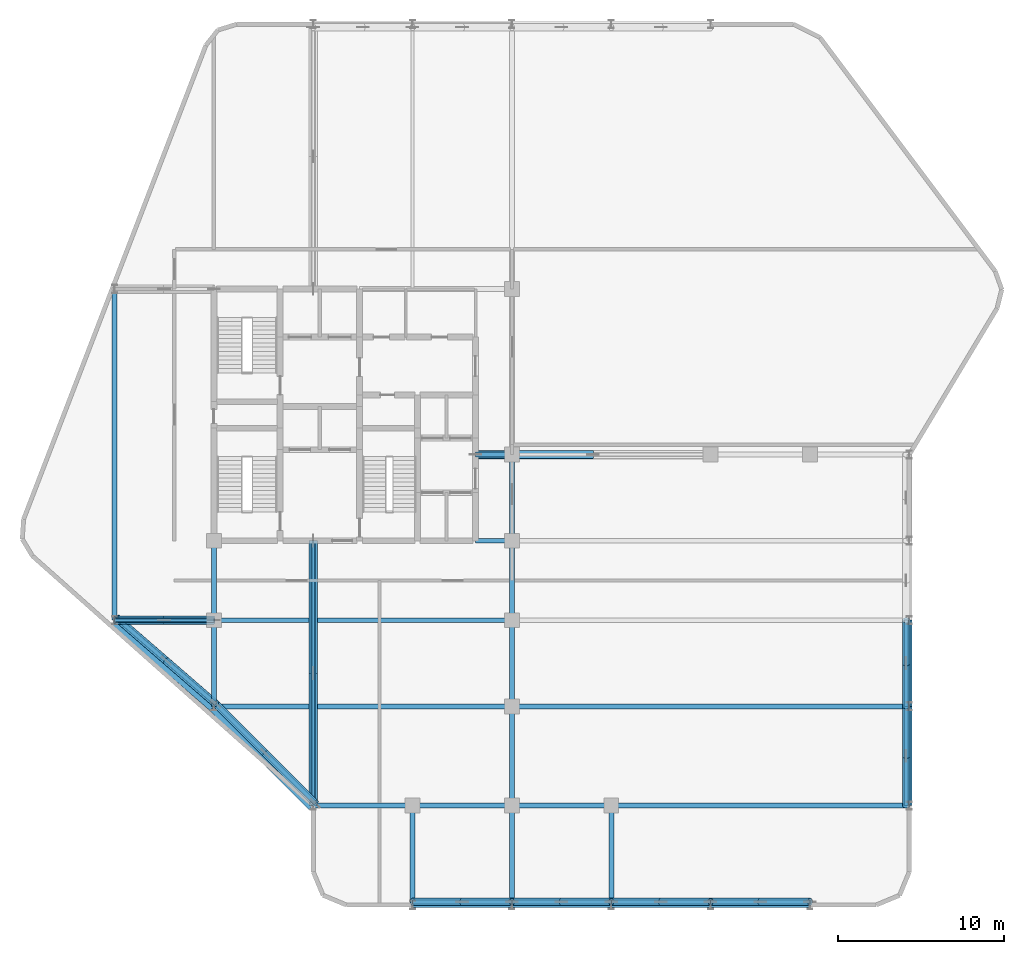
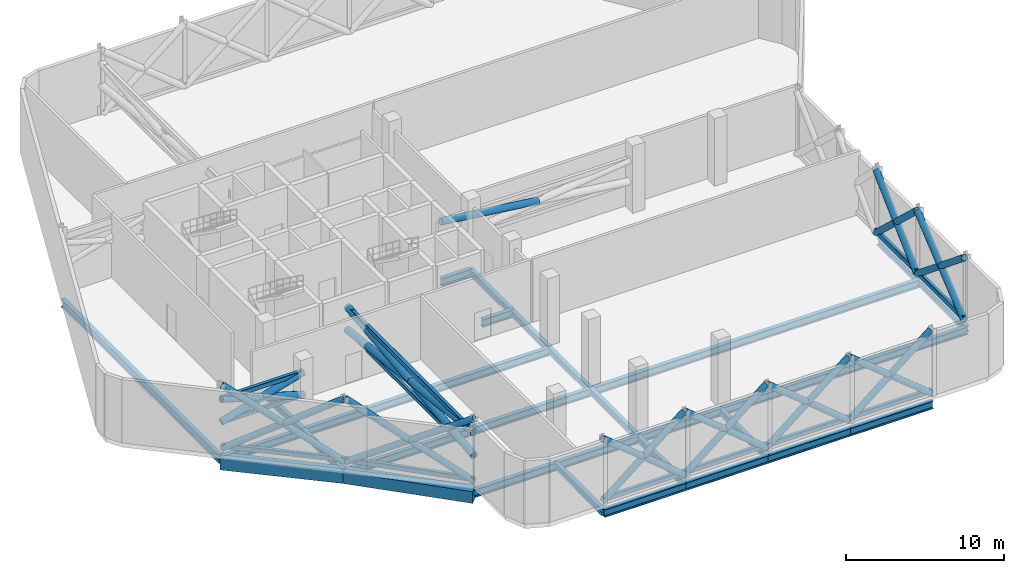
# One storey, part 4 of 12: 43 members, 28 beams.
"""IFC4 building model written with IfcOpenShell, lengths in metres."""

from ifc_helpers import new_model, si_unit, direction, frame, origin, origin_2d, place, context, subcontext, project, spatial, rectangle, hollow_rectangle, hollow_circle, i_section, extrude, material, material_profile, profile_set, type_object, element, save


model = new_model("IFC4")

# Units and contexts
model_context = context("Model", 3, precision=1e-05, world=origin(), true_north=direction((0.0, 1.0)))
body_context = subcontext(model_context, "Body", "Model", "MODEL_VIEW")
ifc_project = project(units=[si_unit("LENGTHUNIT", "METRE"), si_unit("AREAUNIT", "SQUARE_METRE"), si_unit("VOLUMEUNIT", "CUBIC_METRE"), si_unit("PLANEANGLEUNIT", "RADIAN"), si_unit("MASSUNIT", "GRAM", prefix="KILO")], contexts=[model_context])

# Site, building, storey
site_placement = place(None, origin())
site = spatial("IfcSite", under=ifc_project, at=site_placement, CompositionType="ELEMENT")
building_placement = place(site_placement, origin())
building = spatial("IfcBuilding", under=site, at=building_placement, Name="Keshet Zoharim Tower", CompositionType="ELEMENT")
storey_placement = place(building_placement, frame((0.0, 0.0, 159.39990234375)))
storey = spatial("IfcBuildingStorey", under=building, at=storey_placement, Name="L39", CompositionType="ELEMENT", Elevation=159.39990234375)

# Beams
ifc_material_1 = material(Name="Steel S355", Category="steel")
ifc_material_profile_1 = material_profile(ifc_material_1, i_section(OverallWidth=0.300048828125, OverallDepth=0.60009765625, WebThickness=0.015380859375, FlangeThickness=0.030029296875, FilletRadius=0.027099609375, at=origin_2d()), Name="HEB600")
ifc_profile_set_1 = profile_set([ifc_material_profile_1], Name="Steel S355")
beam_type_1 = type_object("IfcBeamType", Name="BM-CLK-HB600", PredefinedType="BEAM", material=ifc_profile_set_1)
for number, where, z_axis, x_axis, name in (
    (1, (30.800048828125, 22.699951171875, -0.719970703125), (1.0, 0.0, 0.0), (0.0, 1.0, 0.0), "L39 Core Wall Link Girder 01"),
    (2, (30.800048828125, 27.89990234375, -0.719970703125), (1.0, 0.0, 0.0), (0.0, 1.0, 0.0), "L39 Core Wall Link Girder 02"),
):
    element("IfcBeam", number, at=place(storey_placement, frame(where, z_axis=z_axis, x_axis=x_axis)), inside=storey, type_object=beam_type_1, Name=name, PredefinedType="BEAM", context=body_context, shape_type="SweptSolid", body=[
        extrude(i_section(OverallWidth=0.300048828125, OverallDepth=0.60009765625, WebThickness=0.015380859375, FlangeThickness=0.030029296875, FilletRadius=0.027099609375, at=origin_2d()), origin(), (0.0, 0.0, 1.0), 2.199951171875),
    ])
ifc_material_profile_2 = material_profile(ifc_material_1, i_section(OverallWidth=0.300048828125, OverallDepth=0.60009765625, WebThickness=0.015380859375, FlangeThickness=0.030029296875, FilletRadius=0.027099609375, at=origin_2d()), Name="HEB600")
ifc_profile_set_2 = profile_set([ifc_material_profile_2], Name="Steel S355")
beam_type_2 = type_object("IfcBeamType", Name="BM-LNG-HB600", PredefinedType="BEAM", material=ifc_profile_set_2)
for number, where, z_axis, x_axis, name in (
    (3, (39.0, 6.699951171875, -0.719970703125), (1.0, 0.0, 0.0), (0.0, 1.0, 0.0), "L39 Primary Girder X-008"),
    (4, (15.0, 12.699951171875, -0.719970703125), (1.0, 0.0, 0.0), (0.0, 1.0, 0.0), "L39 Primary Girder X-009"),
):
    element("IfcBeam", number, at=place(storey_placement, frame(where, z_axis=z_axis, x_axis=x_axis)), inside=storey, type_object=beam_type_2, Name=name, PredefinedType="BEAM", context=body_context, shape_type="SweptSolid", body=[
        extrude(i_section(OverallWidth=0.300048828125, OverallDepth=0.60009765625, WebThickness=0.015380859375, FlangeThickness=0.030029296875, FilletRadius=0.027099609375, at=origin_2d()), origin(), (0.0, 0.0, 1.0), 18.0),
    ])
beam_1_placement = place(storey_placement, frame((33.0, 12.699951171875, -0.719970703125), z_axis=(1.0, 0.0, 0.0), x_axis=(0.0, 1.0, 0.0)))
element("IfcBeam", 5, at=beam_1_placement, inside=storey, type_object=beam_type_2, Name="L39 Primary Girder X-010", PredefinedType="BEAM", context=body_context, shape_type="SweptSolid", body=[
    extrude(i_section(OverallWidth=0.300048828125, OverallDepth=0.60009765625, WebThickness=0.015380859375, FlangeThickness=0.030029296875, FilletRadius=0.027099609375, at=origin_2d()), origin(), (0.0, 0.0, 1.0), 24.0),
])
beam_2_placement = place(storey_placement, frame((15.0, 17.89990234375, -0.719970703125), z_axis=(1.0, 0.0, 0.0), x_axis=(0.0, 1.0, 0.0)))
element("IfcBeam", 6, at=beam_2_placement, inside=storey, type_object=beam_type_2, Name="L39 Primary Girder X-012", PredefinedType="BEAM", context=body_context, shape_type="SweptSolid", body=[
    extrude(i_section(OverallWidth=0.300048828125, OverallDepth=0.60009765625, WebThickness=0.015380859375, FlangeThickness=0.030029296875, FilletRadius=0.027099609375, at=origin_2d()), origin(), (0.0, 0.0, 1.0), 18.0),
])
beam_3_placement = place(storey_placement, frame((9.0, 17.89990234375, -0.719970703125), z_axis=(0.0, 1.0, 0.0), x_axis=(-1.0, 0.0, 0.0)))
element("IfcBeam", 7, at=beam_3_placement, inside=storey, type_object=beam_type_2, Name="L39 Primary Girder Y-001", PredefinedType="BEAM", context=body_context, shape_type="SweptSolid", body=[
    extrude(i_section(OverallWidth=0.300048828125, OverallDepth=0.60009765625, WebThickness=0.015380859375, FlangeThickness=0.030029296875, FilletRadius=0.027099609375, at=origin_2d()), origin(), (0.0, 0.0, 1.0), 20.0),
])
ifc_material_2 = material(Name="Concrete C60/75", Category="concrete")
ifc_material_profile_3 = material_profile(ifc_material_2, rectangle(XDim=0.699951171875, YDim=0.89990234375, at=origin_2d()), Name="RC900x700")
ifc_profile_set_3 = profile_set([ifc_material_profile_3], Name="Concrete C60/75")
beam_type_3 = type_object("IfcBeamType", Name="BM-SPN-900", PredefinedType="SPANDREL", material=ifc_profile_set_3)
beam_4_placement = place(storey_placement, frame((21.0, 6.699951171875, -0.869873046875), z_axis=(-0.707106781187, 0.707106781187, 0.0), x_axis=(-0.707106781187, -0.707106781187, 0.0)))
element("IfcBeam", 8, at=beam_4_placement, inside=storey, type_object=beam_type_3, Name="L39 Perimeter Spandrel Beam 01", PredefinedType="SPANDREL", context=body_context, shape_type="SweptSolid", body=[
    extrude(rectangle(XDim=0.699951171875, YDim=0.89990234375, at=origin_2d()), origin(), (0.0, 0.0, 1.0), 8.4853515625),
])
beam_5_placement = place(storey_placement, frame((9.0, 17.89990234375, -0.869873046875), z_axis=(0.755692126483, -0.654927026447, 0.0), x_axis=(0.654927026447, 0.755692126483, 0.0)))
element("IfcBeam", 9, at=beam_5_placement, inside=storey, type_object=beam_type_3, Name="L39 Perimeter Spandrel Beam 02", PredefinedType="SPANDREL", context=body_context, shape_type="SweptSolid", body=[
    extrude(rectangle(XDim=0.699951171875, YDim=0.89990234375, at=origin_2d()), origin(), (0.0, 0.0, 1.0), 7.939697265625),
])
ifc_material_profile_4 = material_profile(ifc_material_1, i_section(OverallWidth=0.300048828125, OverallDepth=0.5, WebThickness=0.014404296875, FlangeThickness=0.028076171875, FilletRadius=0.027099609375, at=origin_2d()), Name="HEB500")
ifc_profile_set_4 = profile_set([ifc_material_profile_4], Name="Steel S355")
beam_type_4 = type_object("IfcBeamType", Name="BM-WEB-HB500", PredefinedType="BEAM", material=ifc_profile_set_4)
beam_6_placement = place(storey_placement, frame((15.0, 12.699951171875, -0.669921875), z_axis=(0.0, 1.0, 0.0), x_axis=(-1.0, 0.0, 0.0)))
element("IfcBeam", 10, at=beam_6_placement, inside=storey, type_object=beam_type_4, Name="L39 Primary Girder Y-002", PredefinedType="BEAM", context=body_context, shape_type="SweptSolid", body=[
    extrude(i_section(OverallWidth=0.300048828125, OverallDepth=0.5, WebThickness=0.014404296875, FlangeThickness=0.028076171875, FilletRadius=0.027099609375, at=origin_2d()), origin(), (0.0, 0.0, 1.0), 5.199951171875),
])
beam_7_placement = place(storey_placement, frame((15.0, 17.89990234375, -0.669921875), z_axis=(0.0, 1.0, 0.0), x_axis=(-1.0, 0.0, 0.0)))
element("IfcBeam", 11, at=beam_7_placement, inside=storey, type_object=beam_type_4, Name="L39 Primary Girder Y-003", PredefinedType="BEAM", context=body_context, shape_type="SweptSolid", body=[
    extrude(i_section(OverallWidth=0.300048828125, OverallDepth=0.5, WebThickness=0.014404296875, FlangeThickness=0.028076171875, FilletRadius=0.027099609375, at=origin_2d()), origin(), (0.0, 0.0, 1.0), 4.800048828125),
])
for number, where, z_axis, x_axis, name in (
    (12, (27.0, 0.699951171875, -0.669921875), (0.0, 1.0, 0.0), (-1.0, 0.0, 0.0), "L39 Primary Girder Y-004"),
    (13, (33.0, 0.699951171875, -0.669921875), (0.0, 1.0, 0.0), (-1.0, 0.0, 0.0), "L39 Primary Girder Y-005"),
    (14, (33.0, 6.699951171875, -0.669921875), (0.0, 1.0, 0.0), (-1.0, 0.0, 0.0), "L39 Primary Girder Y-006"),
):
    element("IfcBeam", number, at=place(storey_placement, frame(where, z_axis=z_axis, x_axis=x_axis)), inside=storey, type_object=beam_type_4, Name=name, PredefinedType="BEAM", context=body_context, shape_type="SweptSolid", body=[
        extrude(i_section(OverallWidth=0.300048828125, OverallDepth=0.5, WebThickness=0.014404296875, FlangeThickness=0.028076171875, FilletRadius=0.027099609375, at=origin_2d()), origin(), (0.0, 0.0, 1.0), 6.0),
    ])
beam_8_placement = place(storey_placement, frame((33.0, 12.699951171875, -0.669921875), z_axis=(0.0, 1.0, 0.0), x_axis=(-1.0, 0.0, 0.0)))
element("IfcBeam", 15, at=beam_8_placement, inside=storey, type_object=beam_type_4, Name="L39 Primary Girder Y-007", PredefinedType="BEAM", context=body_context, shape_type="SweptSolid", body=[
    extrude(i_section(OverallWidth=0.300048828125, OverallDepth=0.5, WebThickness=0.014404296875, FlangeThickness=0.028076171875, FilletRadius=0.027099609375, at=origin_2d()), origin(), (0.0, 0.0, 1.0), 5.199951171875),
])
beam_9_placement = place(storey_placement, frame((33.0, 17.89990234375, -0.669921875), z_axis=(0.0, 1.0, 0.0), x_axis=(-1.0, 0.0, 0.0)))
element("IfcBeam", 16, at=beam_9_placement, inside=storey, type_object=beam_type_4, Name="L39 Primary Girder Y-008", PredefinedType="BEAM", context=body_context, shape_type="SweptSolid", body=[
    extrude(i_section(OverallWidth=0.300048828125, OverallDepth=0.5, WebThickness=0.014404296875, FlangeThickness=0.028076171875, FilletRadius=0.027099609375, at=origin_2d()), origin(), (0.0, 0.0, 1.0), 4.800048828125),
])
beam_10_placement = place(storey_placement, frame((33.0, 22.699951171875, -0.669921875), z_axis=(0.0, 1.0, 0.0), x_axis=(-1.0, 0.0, 0.0)))
element("IfcBeam", 17, at=beam_10_placement, inside=storey, type_object=beam_type_4, Name="L39 Primary Girder Y-009", PredefinedType="BEAM", context=body_context, shape_type="SweptSolid", body=[
    extrude(i_section(OverallWidth=0.300048828125, OverallDepth=0.5, WebThickness=0.014404296875, FlangeThickness=0.028076171875, FilletRadius=0.027099609375, at=origin_2d()), origin(), (0.0, 0.0, 1.0), 5.199951171875),
])
for number, where, z_axis, x_axis, name in (
    (18, (39.0, 0.699951171875, -0.669921875), (0.0, 1.0, 0.0), (-1.0, 0.0, 0.0), "L39 Primary Girder Y-012"),
    (19, (57.0, 6.699951171875, -0.669921875), (0.0, 1.0, 0.0), (-1.0, 0.0, 0.0), "L39 Primary Girder Y-013"),
):
    element("IfcBeam", number, at=place(storey_placement, frame(where, z_axis=z_axis, x_axis=x_axis)), inside=storey, type_object=beam_type_4, Name=name, PredefinedType="BEAM", context=body_context, shape_type="SweptSolid", body=[
        extrude(i_section(OverallWidth=0.300048828125, OverallDepth=0.5, WebThickness=0.014404296875, FlangeThickness=0.028076171875, FilletRadius=0.027099609375, at=origin_2d()), origin(), (0.0, 0.0, 1.0), 6.0),
    ])
beam_11_placement = place(storey_placement, frame((57.0, 12.699951171875, -0.669921875), z_axis=(0.0, 1.0, 0.0), x_axis=(-1.0, 0.0, 0.0)))
element("IfcBeam", 20, at=beam_11_placement, inside=storey, type_object=beam_type_4, Name="L39 Primary Girder Y-014", PredefinedType="BEAM", context=body_context, shape_type="SweptSolid", body=[
    extrude(i_section(OverallWidth=0.300048828125, OverallDepth=0.5, WebThickness=0.014404296875, FlangeThickness=0.028076171875, FilletRadius=0.027099609375, at=origin_2d()), origin(), (0.0, 0.0, 1.0), 5.199951171875),
])
ifc_material_profile_5 = material_profile(ifc_material_1, i_section(OverallWidth=0.300048828125, OverallDepth=0.60009765625, WebThickness=0.015380859375, FlangeThickness=0.030029296875, FilletRadius=0.027099609375, at=origin_2d()), Name="HEB600")
ifc_profile_set_5 = profile_set([ifc_material_profile_5], Name="Steel S355")
beam_type_5 = type_object("IfcBeamType", Name="BM-WEB-HB600", PredefinedType="BEAM", material=ifc_profile_set_5)
for number, where, z_axis, x_axis, name in (
    (21, (27.0, 0.699951171875, -0.719970703125), (1.0, 0.0, 0.0), (0.0, 1.0, 0.0), "L39 Primary Girder X-001"),
    (22, (33.0, 0.699951171875, -0.719970703125), (1.0, 0.0, 0.0), (0.0, 1.0, 0.0), "L39 Primary Girder X-002"),
    (23, (39.0, 0.699951171875, -0.719970703125), (1.0, 0.0, 0.0), (0.0, 1.0, 0.0), "L39 Primary Girder X-003"),
    (24, (45.0, 0.699951171875, -0.719970703125), (1.0, 0.0, 0.0), (0.0, 1.0, 0.0), "L39 Primary Girder X-004"),
    (25, (21.0, 6.699951171875, -0.719970703125), (1.0, 0.0, 0.0), (0.0, 1.0, 0.0), "L39 Primary Girder X-005"),
    (26, (27.0, 6.699951171875, -0.719970703125), (1.0, 0.0, 0.0), (0.0, 1.0, 0.0), "L39 Primary Girder X-006"),
    (27, (33.0, 6.699951171875, -0.719970703125), (1.0, 0.0, 0.0), (0.0, 1.0, 0.0), "L39 Primary Girder X-007"),
    (28, (9.0, 17.89990234375, -0.719970703125), (1.0, 0.0, 0.0), (0.0, 1.0, 0.0), "L39 Primary Girder X-011"),
):
    element("IfcBeam", number, at=place(storey_placement, frame(where, z_axis=z_axis, x_axis=x_axis)), inside=storey, type_object=beam_type_5, Name=name, PredefinedType="BEAM", context=body_context, shape_type="SweptSolid", body=[
        extrude(i_section(OverallWidth=0.300048828125, OverallDepth=0.60009765625, WebThickness=0.015380859375, FlangeThickness=0.030029296875, FilletRadius=0.027099609375, at=origin_2d()), origin(), (0.0, 0.0, 1.0), 6.0),
    ])

# Members
ifc_material_profile_6 = material_profile(ifc_material_1, hollow_circle(Radius=0.228515625, WallThickness=0.01611328125, at=origin_2d()), Name="CHS457x16")
ifc_profile_set_6 = profile_set([ifc_material_profile_6], Name="Steel S355")
member_type_1 = type_object("IfcMemberType", Name="MB-BELT-C457", PredefinedType="BRACE", material=ifc_profile_set_6)
member_1_placement = place(storey_placement, frame((51.0, 0.889892578125, 0.0), z_axis=(-0.775156035504, 0.0, 0.631769831997), x_axis=(0.0, -1.0, 0.0)))
element("IfcMember", 29, at=member_1_placement, inside=storey, type_object=member_type_1, Name="L39 Perimeter Belt Truss Continuous Diagonal A01", PredefinedType="BRACE", context=body_context, shape_type="SweptSolid", body=[
    extrude(hollow_circle(Radius=0.228515625, WallThickness=0.01611328125, at=origin_2d()), origin(), (0.0, 0.0, 1.0), 7.740478515625),
])
for number, where, z_axis, x_axis, name in (
    (30, (45.0, 0.889892578125, 0.0), (0.775156035504, 0.0, 0.631769831997), (0.0, 1.0, 0.0), "L39 Perimeter Belt Truss Split Diagonal B1-01"),
    (31, (48.0, 0.889892578125, 2.445068359375), (0.775156035504, 0.0, 0.631769831997), (0.0, 1.0, 0.0), "L39 Perimeter Belt Truss Split Diagonal B2-01"),
):
    element("IfcMember", number, at=place(storey_placement, frame(where, z_axis=z_axis, x_axis=x_axis)), inside=storey, type_object=member_type_1, Name=name, PredefinedType="BRACE", context=body_context, shape_type="SweptSolid", body=[
        extrude(hollow_circle(Radius=0.228515625, WallThickness=0.01611328125, at=origin_2d()), origin(), (0.0, 0.0, 1.0), 3.8701171875),
    ])
member_2_placement = place(storey_placement, frame((45.0, 0.889892578125, 0.0), z_axis=(-0.775156035504, 0.0, 0.631769831997), x_axis=(0.0, -1.0, 0.0)))
element("IfcMember", 32, at=member_2_placement, inside=storey, type_object=member_type_1, Name="L39 Perimeter Belt Truss Continuous Diagonal A02", PredefinedType="BRACE", context=body_context, shape_type="SweptSolid", body=[
    extrude(hollow_circle(Radius=0.228515625, WallThickness=0.01611328125, at=origin_2d()), origin(), (0.0, 0.0, 1.0), 7.740478515625),
])
for number, where, z_axis, x_axis, name in (
    (33, (39.0, 0.889892578125, 0.0), (0.775156035504, 0.0, 0.631769831997), (0.0, 1.0, 0.0), "L39 Perimeter Belt Truss Split Diagonal B1-02"),
    (34, (42.0, 0.889892578125, 2.445068359375), (0.775156035504, 0.0, 0.631769831997), (0.0, 1.0, 0.0), "L39 Perimeter Belt Truss Split Diagonal B2-02"),
):
    element("IfcMember", number, at=place(storey_placement, frame(where, z_axis=z_axis, x_axis=x_axis)), inside=storey, type_object=member_type_1, Name=name, PredefinedType="BRACE", context=body_context, shape_type="SweptSolid", body=[
        extrude(hollow_circle(Radius=0.228515625, WallThickness=0.01611328125, at=origin_2d()), origin(), (0.0, 0.0, 1.0), 3.8701171875),
    ])
member_3_placement = place(storey_placement, frame((39.0, 0.889892578125, 0.0), z_axis=(-0.775156035504, 0.0, 0.631769831997), x_axis=(0.0, -1.0, 0.0)))
element("IfcMember", 35, at=member_3_placement, inside=storey, type_object=member_type_1, Name="L39 Perimeter Belt Truss Continuous Diagonal A03", PredefinedType="BRACE", context=body_context, shape_type="SweptSolid", body=[
    extrude(hollow_circle(Radius=0.228515625, WallThickness=0.01611328125, at=origin_2d()), origin(), (0.0, 0.0, 1.0), 7.740478515625),
])
for number, where, z_axis, x_axis, name in (
    (36, (33.0, 0.889892578125, 0.0), (0.775156035504, 0.0, 0.631769831997), (0.0, 1.0, 0.0), "L39 Perimeter Belt Truss Split Diagonal B1-03"),
    (37, (36.0, 0.889892578125, 2.445068359375), (0.775156035504, 0.0, 0.631769831997), (0.0, 1.0, 0.0), "L39 Perimeter Belt Truss Split Diagonal B2-03"),
):
    element("IfcMember", number, at=place(storey_placement, frame(where, z_axis=z_axis, x_axis=x_axis)), inside=storey, type_object=member_type_1, Name=name, PredefinedType="BRACE", context=body_context, shape_type="SweptSolid", body=[
        extrude(hollow_circle(Radius=0.228515625, WallThickness=0.01611328125, at=origin_2d()), origin(), (0.0, 0.0, 1.0), 3.8701171875),
    ])
member_4_placement = place(storey_placement, frame((33.0, 0.889892578125, 0.0), z_axis=(-0.775156035504, 0.0, 0.631769831997), x_axis=(0.0, -1.0, 0.0)))
element("IfcMember", 38, at=member_4_placement, inside=storey, type_object=member_type_1, Name="L39 Perimeter Belt Truss Continuous Diagonal A04", PredefinedType="BRACE", context=body_context, shape_type="SweptSolid", body=[
    extrude(hollow_circle(Radius=0.228515625, WallThickness=0.01611328125, at=origin_2d()), origin(), (0.0, 0.0, 1.0), 7.740478515625),
])
for number, where, z_axis, x_axis, name in (
    (39, (27.0, 0.889892578125, 0.0), (0.775156035504, 0.0, 0.631769831997), (0.0, 1.0, 0.0), "L39 Perimeter Belt Truss Split Diagonal B1-04"),
    (40, (30.0, 0.889892578125, 2.445068359375), (0.775156035504, 0.0, 0.631769831997), (0.0, 1.0, 0.0), "L39 Perimeter Belt Truss Split Diagonal B2-04"),
):
    element("IfcMember", number, at=place(storey_placement, frame(where, z_axis=z_axis, x_axis=x_axis)), inside=storey, type_object=member_type_1, Name=name, PredefinedType="BRACE", context=body_context, shape_type="SweptSolid", body=[
        extrude(hollow_circle(Radius=0.228515625, WallThickness=0.01611328125, at=origin_2d()), origin(), (0.0, 0.0, 1.0), 3.8701171875),
    ])
member_5_placement = place(storey_placement, frame((21.1259765625, 6.842041015625, 0.0), z_axis=(-0.612648709613, 0.612648709613, 0.499322658429), x_axis=(-0.707106781187, -0.707106781187, 0.0)))
element("IfcMember", 41, at=member_5_placement, inside=storey, type_object=member_type_1, Name="L39 Perimeter Belt Truss Continuous Diagonal A05", PredefinedType="BRACE", context=body_context, shape_type="SweptSolid", body=[
    extrude(hollow_circle(Radius=0.228515625, WallThickness=0.01611328125, at=origin_2d()), origin(), (0.0, 0.0, 1.0), 9.79345703125),
])
for number, where, z_axis, x_axis, name in (
    (42, (15.1259765625, 12.842041015625, 0.0), (0.612648709613, -0.612648709613, 0.499322658429), (0.707106781187, 0.707106781187, 0.0), "L39 Perimeter Belt Truss Split Diagonal B1-05"),
    (43, (18.1259765625, 9.842041015625, 2.445068359375), (0.612648709613, -0.612648709613, 0.499322658429), (0.707106781187, 0.707106781187, 0.0), "L39 Perimeter Belt Truss Split Diagonal B2-05"),
):
    element("IfcMember", number, at=place(storey_placement, frame(where, z_axis=z_axis, x_axis=x_axis)), inside=storey, type_object=member_type_1, Name=name, PredefinedType="BRACE", context=body_context, shape_type="SweptSolid", body=[
        extrude(hollow_circle(Radius=0.228515625, WallThickness=0.01611328125, at=origin_2d()), origin(), (0.0, 0.0, 1.0), 4.896728515625),
    ])
member_6_placement = place(storey_placement, frame((15.1259765625, 12.842041015625, 0.0), z_axis=(-0.643441609024, 0.557644158147, 0.52441957311), x_axis=(-0.654927026447, -0.755692126483, 0.0)))
element("IfcMember", 44, at=member_6_placement, inside=storey, type_object=member_type_1, Name="L39 Perimeter Belt Truss Continuous Diagonal A06", PredefinedType="BRACE", context=body_context, shape_type="SweptSolid", body=[
    extrude(hollow_circle(Radius=0.228515625, WallThickness=0.01611328125, at=origin_2d()), origin(), (0.0, 0.0, 1.0), 9.324951171875),
])
member_7_placement = place(storey_placement, frame((9.1259765625, 18.0419921875, 0.0), z_axis=(0.643432214714, -0.557662197811, 0.524411916533), x_axis=(0.654944585876, 0.755676908098, 0.0)))
element("IfcMember", 45, at=member_7_placement, inside=storey, type_object=member_type_1, Name="L39 Perimeter Belt Truss Split Diagonal B1-06", PredefinedType="BRACE", context=body_context, shape_type="SweptSolid", body=[
    extrude(hollow_circle(Radius=0.228515625, WallThickness=0.01611328125, at=origin_2d()), origin(), (0.0, 0.0, 1.0), 4.66259765625),
])
member_8_placement = place(storey_placement, frame((12.1259765625, 15.44189453125, 2.445068359375), z_axis=(0.643451003306, -0.557626117692, 0.524427229664), x_axis=(0.654909465958, 0.755707345074, 0.0)))
element("IfcMember", 46, at=member_8_placement, inside=storey, type_object=member_type_1, Name="L39 Perimeter Belt Truss Split Diagonal B2-06", PredefinedType="BRACE", context=body_context, shape_type="SweptSolid", body=[
    extrude(hollow_circle(Radius=0.228515625, WallThickness=0.01611328125, at=origin_2d()), origin(), (0.0, 0.0, 1.0), 4.662353515625),
])
member_9_placement = place(storey_placement, frame((56.81005859375, 17.89990234375, 0.0), z_axis=(0.0, -0.728475058679, 0.685072323834), x_axis=(1.0, 0.0, 0.0)))
element("IfcMember", 47, at=member_9_placement, inside=storey, type_object=member_type_1, Name="L39 Perimeter Belt Truss Continuous Diagonal A13", PredefinedType="BRACE", context=body_context, shape_type="SweptSolid", body=[
    extrude(hollow_circle(Radius=0.228515625, WallThickness=0.01611328125, at=origin_2d()), origin(), (0.0, 0.0, 1.0), 7.13818359375),
])
for number, where, z_axis, x_axis, name in (
    (48, (56.81005859375, 12.699951171875, 0.0), (0.0, 0.728491110048, 0.68505525513), (-1.0, 0.0, 0.0), "L39 Perimeter Belt Truss Split Diagonal B1-13"),
    (49, (56.81005859375, 15.300048828125, 2.445068359375), (0.0, 0.72845900611, 0.685089393012), (-1.0, 0.0, 0.0), "L39 Perimeter Belt Truss Split Diagonal B2-13"),
):
    element("IfcMember", number, at=place(storey_placement, frame(where, z_axis=z_axis, x_axis=x_axis)), inside=storey, type_object=member_type_1, Name=name, PredefinedType="BRACE", context=body_context, shape_type="SweptSolid", body=[
        extrude(hollow_circle(Radius=0.228515625, WallThickness=0.01611328125, at=origin_2d()), origin(), (0.0, 0.0, 1.0), 3.569091796875),
    ])
member_10_placement = place(storey_placement, frame((56.81005859375, 12.699951171875, 0.0), z_axis=(0.0, -0.775156035504, 0.631769831997), x_axis=(1.0, 0.0, 0.0)))
element("IfcMember", 50, at=member_10_placement, inside=storey, type_object=member_type_1, Name="L39 Perimeter Belt Truss Continuous Diagonal A14", PredefinedType="BRACE", context=body_context, shape_type="SweptSolid", body=[
    extrude(hollow_circle(Radius=0.228515625, WallThickness=0.01611328125, at=origin_2d()), origin(), (0.0, 0.0, 1.0), 7.740478515625),
])
for number, where, z_axis, x_axis, name in (
    (51, (56.81005859375, 6.699951171875, 0.0), (0.0, 0.775156035504, 0.631769831997), (-1.0, 0.0, 0.0), "L39 Perimeter Belt Truss Split Diagonal B1-14"),
    (52, (56.81005859375, 9.699951171875, 2.445068359375), (0.0, 0.775156035504, 0.631769831997), (-1.0, 0.0, 0.0), "L39 Perimeter Belt Truss Split Diagonal B2-14"),
):
    element("IfcMember", number, at=place(storey_placement, frame(where, z_axis=z_axis, x_axis=x_axis)), inside=storey, type_object=member_type_1, Name=name, PredefinedType="BRACE", context=body_context, shape_type="SweptSolid", body=[
        extrude(hollow_circle(Radius=0.228515625, WallThickness=0.01611328125, at=origin_2d()), origin(), (0.0, 0.0, 1.0), 3.8701171875),
    ])
ifc_material_profile_7 = material_profile(ifc_material_1, hollow_rectangle(XDim=0.25, YDim=0.35009765625, WallThickness=0.01416015625, InnerFilletRadius=0.013916015625, OuterFilletRadius=0.02099609375, at=origin_2d()), Name="RHS350x250x14.2")
ifc_profile_set_7 = profile_set([ifc_material_profile_7], Name="Steel S355")
member_type_2 = type_object("IfcMemberType", Name="MB-CHD-R350", PredefinedType="CHORD", material=ifc_profile_set_7)
for number, where, z_axis, x_axis, name in (
    (53, (51.0, 0.889892578125, 0.2001953125), (-1.0, 0.0, 0.0), (0.0, -1.0, 0.0), "L39 Perimeter Belt Truss Chord B01"),
    (54, (45.0, 0.889892578125, 0.2001953125), (-1.0, 0.0, 0.0), (0.0, -1.0, 0.0), "L39 Perimeter Belt Truss Chord B02"),
    (55, (39.0, 0.889892578125, 0.2001953125), (-1.0, 0.0, 0.0), (0.0, -1.0, 0.0), "L39 Perimeter Belt Truss Chord B03"),
    (56, (33.0, 0.889892578125, 0.2001953125), (-1.0, 0.0, 0.0), (0.0, -1.0, 0.0), "L39 Perimeter Belt Truss Chord B04"),
):
    element("IfcMember", number, at=place(storey_placement, frame(where, z_axis=z_axis, x_axis=x_axis)), inside=storey, type_object=member_type_2, Name=name, PredefinedType="CHORD", context=body_context, shape_type="SweptSolid", body=[
        extrude(hollow_rectangle(XDim=0.25, YDim=0.35009765625, WallThickness=0.01416015625, InnerFilletRadius=0.013916015625, OuterFilletRadius=0.02099609375, at=origin_2d()), origin(), (0.0, 0.0, 1.0), 6.0),
    ])
member_11_placement = place(storey_placement, frame((21.1259765625, 6.842041015625, 0.2001953125), z_axis=(-0.707106781187, 0.707106781187, 0.0), x_axis=(-0.707106781187, -0.707106781187, 0.0)))
element("IfcMember", 57, at=member_11_placement, inside=storey, type_object=member_type_2, Name="L39 Perimeter Belt Truss Chord B05", PredefinedType="CHORD", context=body_context, shape_type="SweptSolid", body=[
    extrude(hollow_rectangle(XDim=0.25, YDim=0.35009765625, WallThickness=0.01416015625, InnerFilletRadius=0.013916015625, OuterFilletRadius=0.02099609375, at=origin_2d()), origin(), (0.0, 0.0, 1.0), 8.4853515625),
])
member_12_placement = place(storey_placement, frame((15.1259765625, 12.842041015625, 0.2001953125), z_axis=(-0.755692126483, 0.654927026447, 0.0), x_axis=(-0.654927026447, -0.755692126483, 0.0)))
element("IfcMember", 58, at=member_12_placement, inside=storey, type_object=member_type_2, Name="L39 Perimeter Belt Truss Chord B06", PredefinedType="CHORD", context=body_context, shape_type="SweptSolid", body=[
    extrude(hollow_rectangle(XDim=0.25, YDim=0.35009765625, WallThickness=0.01416015625, InnerFilletRadius=0.013916015625, OuterFilletRadius=0.02099609375, at=origin_2d()), origin(), (0.0, 0.0, 1.0), 7.939697265625),
])
member_13_placement = place(storey_placement, frame((56.81005859375, 17.89990234375, 0.2001953125), z_axis=(0.0, -1.0, 0.0), x_axis=(1.0, 0.0, 0.0)))
element("IfcMember", 59, at=member_13_placement, inside=storey, type_object=member_type_2, Name="L39 Perimeter Belt Truss Chord B13", PredefinedType="CHORD", context=body_context, shape_type="SweptSolid", body=[
    extrude(hollow_rectangle(XDim=0.25, YDim=0.35009765625, WallThickness=0.01416015625, InnerFilletRadius=0.013916015625, OuterFilletRadius=0.02099609375, at=origin_2d()), origin(), (0.0, 0.0, 1.0), 5.199951171875),
])
member_14_placement = place(storey_placement, frame((56.81005859375, 12.699951171875, 0.2001953125), z_axis=(0.0, -1.0, 0.0), x_axis=(1.0, 0.0, 0.0)))
element("IfcMember", 60, at=member_14_placement, inside=storey, type_object=member_type_2, Name="L39 Perimeter Belt Truss Chord B14", PredefinedType="CHORD", context=body_context, shape_type="SweptSolid", body=[
    extrude(hollow_rectangle(XDim=0.25, YDim=0.35009765625, WallThickness=0.01416015625, InnerFilletRadius=0.013916015625, OuterFilletRadius=0.02099609375, at=origin_2d()), origin(), (0.0, 0.0, 1.0), 6.0),
])
ifc_material_profile_8 = material_profile(ifc_material_1, hollow_circle(Radius=0.25390625, WallThickness=0.02001953125, at=origin_2d()), Name="CHS508x20")
ifc_profile_set_8 = profile_set([ifc_material_profile_8], Name="Steel S355")
member_type_3 = type_object("IfcMemberType", Name="MB-OUTR-C508", PredefinedType="BRACE", material=ifc_profile_set_8)
member_15_placement = place(storey_placement, frame((15.0, 17.89990234375, 2.150146484375), z_axis=(-0.958700064328, 0.0, 0.28441903357), x_axis=(0.0, -1.0, 0.0)))
element("IfcMember", 61, at=member_15_placement, inside=storey, type_object=member_type_3, Name="L39 Core Outrigger Continuous Brace 1-W1", PredefinedType="BRACE", context=body_context, shape_type="SweptSolid", body=[
    extrude(hollow_circle(Radius=0.25390625, WallThickness=0.02001953125, at=origin_2d()), origin(), (0.0, 0.0, 1.0), 6.258544921875),
])
for number, where, z_axis, x_axis, name in (
    (62, (9.0, 17.89990234375, 2.150146484375), (0.958710700624, 0.0, 0.284383179018), (0.0, 1.0, 0.0), "L39 Core Outrigger Split Brace 2A-W1"),
    (63, (12.0, 17.89990234375, 3.0400390625), (0.958689426927, 0.0, 0.284454886929), (0.0, 1.0, 0.0), "L39 Core Outrigger Split Brace 2B-W1"),
):
    element("IfcMember", number, at=place(storey_placement, frame(where, z_axis=z_axis, x_axis=x_axis)), inside=storey, type_object=member_type_3, Name=name, PredefinedType="BRACE", context=body_context, shape_type="SweptSolid", body=[
        extrude(hollow_circle(Radius=0.25390625, WallThickness=0.02001953125, at=origin_2d()), origin(), (0.0, 0.0, 1.0), 3.129150390625),
    ])
member_16_placement = place(storey_placement, frame((37.89990234375, 27.89990234375, 3.0400390625), z_axis=(-0.992232141682, 0.0, 0.12440006838), x_axis=(0.0, -1.0, 0.0)))
element("IfcMember", 64, at=member_16_placement, inside=storey, type_object=member_type_3, Name="L39 Core Outrigger Split Brace 2B-E1", PredefinedType="BRACE", context=body_context, shape_type="SweptSolid", body=[
    extrude(hollow_circle(Radius=0.25390625, WallThickness=0.02001953125, at=origin_2d()), origin(), (0.0, 0.0, 1.0), 7.155517578125),
])
member_17_placement = place(storey_placement, frame((21.0, 22.699951171875, 2.150146484375), z_axis=(0.0, -0.993868374902, 0.110569676535), x_axis=(1.0, 0.0, 0.0)))
element("IfcMember", 65, at=member_17_placement, inside=storey, type_object=member_type_3, Name="L39 Core Outrigger Continuous Brace 1-S1", PredefinedType="BRACE", context=body_context, shape_type="SweptSolid", body=[
    extrude(hollow_circle(Radius=0.25390625, WallThickness=0.02001953125, at=origin_2d()), origin(), (0.0, 0.0, 1.0), 16.0986328125),
])
for number, where, z_axis, x_axis, name in (
    (66, (21.0, 6.699951171875, 2.150146484375), (0.0, 0.993870041325, 0.110554696674), (-1.0, 0.0, 0.0), "L39 Core Outrigger Split Brace 2A-S1"),
    (67, (21.0, 14.699951171875, 3.0400390625), (0.0, 0.993866708259, 0.110584656321), (-1.0, 0.0, 0.0), "L39 Core Outrigger Split Brace 2B-S1"),
):
    element("IfcMember", number, at=place(storey_placement, frame(where, z_axis=z_axis, x_axis=x_axis)), inside=storey, type_object=member_type_3, Name=name, PredefinedType="BRACE", context=body_context, shape_type="SweptSolid", body=[
        extrude(hollow_circle(Radius=0.25390625, WallThickness=0.02001953125, at=origin_2d()), origin(), (0.0, 0.0, 1.0), 8.04931640625),
    ])
ifc_material_profile_9 = material_profile(ifc_material_1, hollow_rectangle(XDim=0.199951171875, YDim=0.300048828125, WallThickness=0.012451171875, InnerFilletRadius=0.011962890625, OuterFilletRadius=0.01904296875, at=origin_2d()), Name="RHS300x200x12.5")
ifc_profile_set_9 = profile_set([ifc_material_profile_9], Name="Steel S355")
member_type_4 = type_object("IfcMemberType", Name="MB-OUTR-S300", PredefinedType="STRUT", material=ifc_profile_set_9)
member_18_placement = place(storey_placement, frame((15.0, 17.89990234375, 2.150146484375), z_axis=(-1.0, 0.0, 0.0), x_axis=(0.0, -1.0, 0.0)))
element("IfcMember", 68, at=member_18_placement, inside=storey, type_object=member_type_4, Name="L39 Core Outrigger Bottom Strut W1", PredefinedType="STRUT", context=body_context, shape_type="SweptSolid", body=[
    extrude(hollow_rectangle(XDim=0.199951171875, YDim=0.300048828125, WallThickness=0.012451171875, InnerFilletRadius=0.011962890625, OuterFilletRadius=0.01904296875, at=origin_2d()), origin(), (0.0, 0.0, 1.0), 6.0),
])
member_19_placement = place(storey_placement, frame((21.0, 22.699951171875, 2.150146484375), z_axis=(0.0, -1.0, 0.0), x_axis=(1.0, 0.0, 0.0)))
element("IfcMember", 69, at=member_19_placement, inside=storey, type_object=member_type_4, Name="L39 Core Outrigger Bottom Strut S1", PredefinedType="STRUT", context=body_context, shape_type="SweptSolid", body=[
    extrude(hollow_rectangle(XDim=0.199951171875, YDim=0.300048828125, WallThickness=0.012451171875, InnerFilletRadius=0.011962890625, OuterFilletRadius=0.01904296875, at=origin_2d()), origin(), (0.0, 0.0, 1.0), 16.0),
])
ifc_material_profile_10 = material_profile(ifc_material_1, hollow_rectangle(XDim=0.25, YDim=0.35009765625, WallThickness=0.01416015625, InnerFilletRadius=0.013916015625, OuterFilletRadius=0.02099609375, at=origin_2d()), Name="RHS350x250x14.2")
ifc_profile_set_10 = profile_set([ifc_material_profile_10], Name="Steel S355")
member_type_5 = type_object("IfcMemberType", Name="MB-OUTR-T350", PredefinedType="CHORD", material=ifc_profile_set_10)
member_20_placement = place(storey_placement, frame((15.0, 17.89990234375, 3.93017578125), z_axis=(-1.0, 0.0, 0.0), x_axis=(0.0, -1.0, 0.0)))
element("IfcMember", 70, at=member_20_placement, inside=storey, type_object=member_type_5, Name="L39 Core Outrigger Top Chord W1", PredefinedType="CHORD", context=body_context, shape_type="SweptSolid", body=[
    extrude(hollow_rectangle(XDim=0.25, YDim=0.35009765625, WallThickness=0.01416015625, InnerFilletRadius=0.013916015625, OuterFilletRadius=0.02099609375, at=origin_2d()), origin(), (0.0, 0.0, 1.0), 6.0),
])
member_21_placement = place(storey_placement, frame((21.0, 22.699951171875, 3.93017578125), z_axis=(0.0, -1.0, 0.0), x_axis=(1.0, 0.0, 0.0)))
element("IfcMember", 71, at=member_21_placement, inside=storey, type_object=member_type_5, Name="L39 Core Outrigger Top Chord S1", PredefinedType="CHORD", context=body_context, shape_type="SweptSolid", body=[
    extrude(hollow_rectangle(XDim=0.25, YDim=0.35009765625, WallThickness=0.01416015625, InnerFilletRadius=0.013916015625, OuterFilletRadius=0.02099609375, at=origin_2d()), origin(), (0.0, 0.0, 1.0), 16.0),
])

save(model, "model.ifc")
